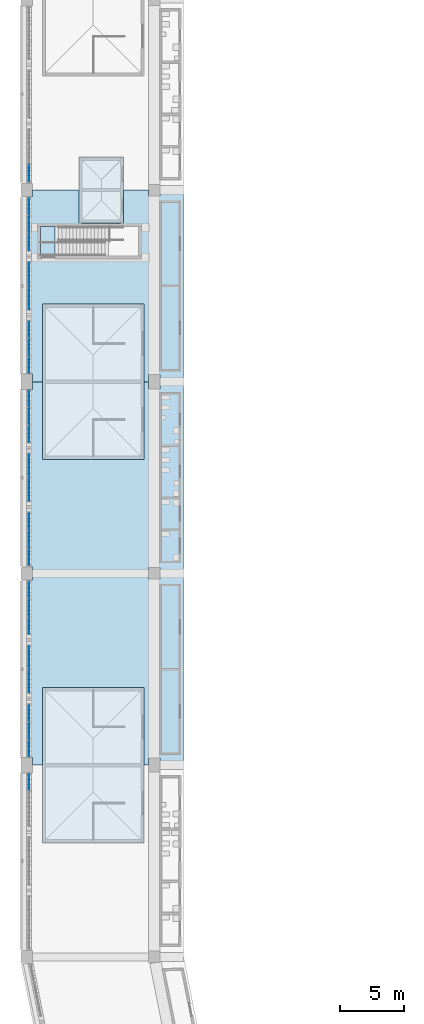
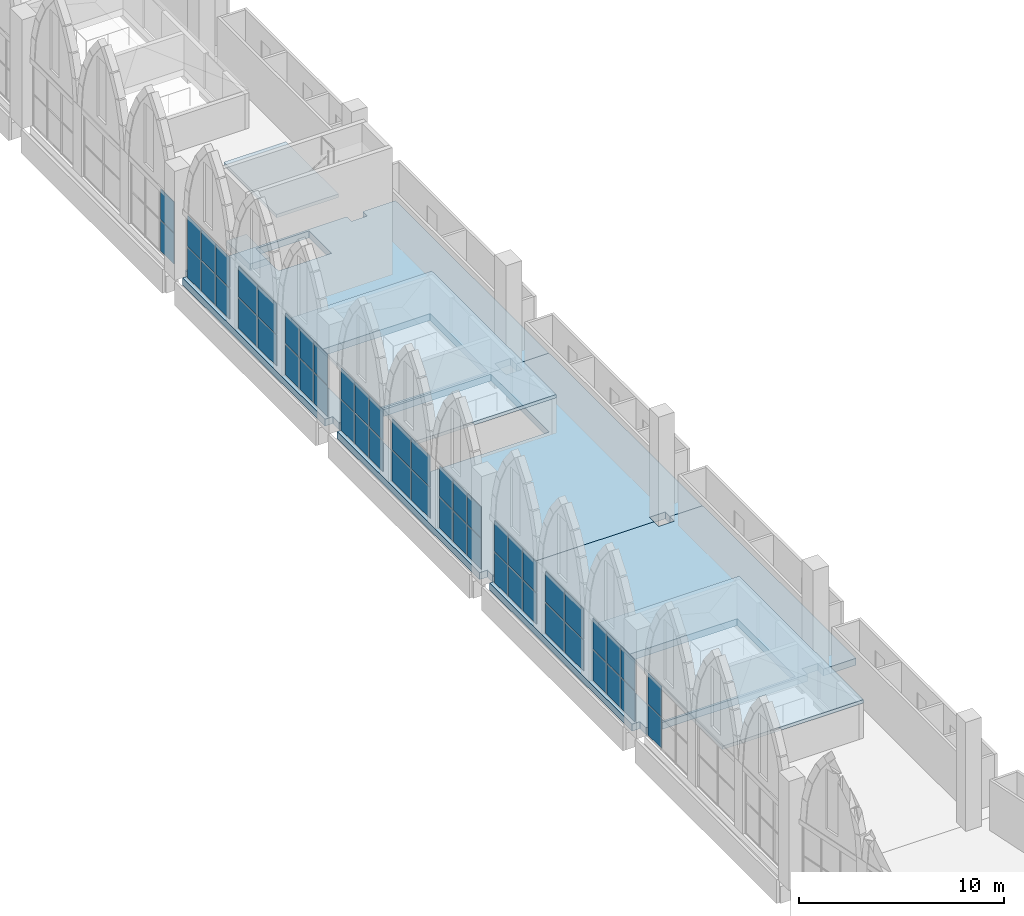
# One storey, part 52 of 130: 52 plates, 7 slabs, 12 elements without a shape of their own.
"""IFC4 building model written with IfcOpenShell, lengths in metres."""

from ifc_helpers import new_model, si_unit, direction, frame, origin, origin_2d, place, context, subcontext, project, spatial, polyline, rectangle, outline, extrude, material, layer, layer_set, type_object, element, aggregate, save


model = new_model("IFC4")

# Units and contexts
model_context = context("Model", 3, precision=1e-05, world=origin(), true_north=direction((0.0, 1.0)))
body_context = subcontext(model_context, "Body", "Model", "MODEL_VIEW")
ifc_project = project(units=[si_unit("LENGTHUNIT", "METRE"), si_unit("AREAUNIT", "SQUARE_METRE"), si_unit("VOLUMEUNIT", "CUBIC_METRE"), si_unit("PLANEANGLEUNIT", "RADIAN"), si_unit("MASSUNIT", "GRAM", prefix="KILO")], contexts=[model_context])

# Site, building, storey
site_placement = place(None, origin())
site = spatial("IfcSite", under=ifc_project, at=site_placement, CompositionType="ELEMENT")
building_placement = place(site_placement, origin())
building = spatial("IfcBuilding", under=site, at=building_placement, Name="Ogive Plaza Stadium", CompositionType="ELEMENT")
storey_placement = place(building_placement, frame((0.0, 0.0, 22.5)))
storey = spatial("IfcBuildingStorey", under=building, at=storey_placement, Name="L05", CompositionType="ELEMENT", Elevation=22.5)

# Slabs
ifc_material_1 = material(Name="Concrete C40/50", Category="concrete")
ifc_layer_1 = layer(ifc_material_1, 0.199951171875)
ifc_layer_set_1 = layer_set([ifc_layer_1], Name="Concrete C40/50")
slab_type_1 = type_object("IfcSlabType", Name="Core roof slab", PredefinedType="ROOF", material=ifc_layer_set_1)
slab_1_placement = place(storey_placement, frame((0.0, 0.0, 2.10009765625)))
element("IfcSlab", 1, at=slab_1_placement, inside=storey, type_object=slab_type_1, Name="Stair core R22 roof", PredefinedType="ROOF", context=body_context, shape_type="SweptSolid", body=[
    extrude(outline(polyline([(-74.800048828125, -31.425048828125), (-82.760009765625, -31.425048828125), (-82.760009765625, -43.574951171875), (-74.800048828125, -43.574951171875), (-74.800048828125, -31.425048828125)])), origin(), (0.0, 0.0, 1.0), 0.199951171875),
])
slab_2_placement = place(storey_placement, frame((0.0, 0.0, 2.10009765625)))
element("IfcSlab", 2, at=slab_2_placement, inside=storey, type_object=slab_type_1, Name="Stair core R24 roof", PredefinedType="ROOF", context=body_context, shape_type="SweptSolid", body=[
    extrude(outline(polyline([(-74.800048828125, -1.425048828125), (-82.760009765625, -1.425048828125), (-82.760009765625, -13.574951171875), (-74.800048828125, -13.574951171875), (-74.800048828125, -1.425048828125)])), origin(), (0.0, 0.0, 1.0), 0.199951171875),
])

# Curtain wall, plates
ifc_material_2 = material(Name="Bronze-anodised aluminium with laminated glass", Category="aluminium")
curtain_wall_type = type_object("IfcCurtainWallType", Name="Lancet curtain wall", PredefinedType="NOTDEFINED", material=ifc_material_2)
curtain_wall_1_placement = place(storey_placement, origin())
curtain_wall_1 = element("IfcCurtainWall", 3, at=curtain_wall_1_placement, inside=storey, type_object=curtain_wall_type, Name="CURTAIN WALL B21 L05", PredefinedType="NOTDEFINED")
ifc_material_3 = material(Name="Laminated glass", Category="glass")
ifc_layer_2 = layer(ifc_material_3, 0.028076171875)
ifc_layer_set_2 = layer_set([ifc_layer_2], Name="Laminated glass panel 28")
plate_type = type_object("IfcPlateType", Name="Laminated glass panel 28", PredefinedType="CURTAIN_PANEL", material=ifc_layer_set_2)
plate_1_placement = place(storey_placement, frame((-83.800048828125, -38.8125, 0.0498046875), z_axis=(0.0, 0.0, 1.0), x_axis=(0.0, 1.0, 0.0)))
plate_1 = element("IfcPlate", 4, at=plate_1_placement, type_object=plate_type, Name="CW-B21-L05.3 panel 3.1", PredefinedType="CURTAIN_PANEL", context=body_context, shape_type="SweptSolid", body=[
    extrude(rectangle(XDim=1.324951171875, YDim=0.028076171875, at=origin_2d()), origin(), (0.0, 0.0, 1.0), 1.824951171875),
])
plate_2_placement = place(storey_placement, frame((-83.800048828125, -38.8125, 1.9248046875), z_axis=(0.0, 0.0, 1.0), x_axis=(0.0, 1.0, 0.0)))
plate_2 = element("IfcPlate", 5, at=plate_2_placement, type_object=plate_type, Name="CW-B21-L05.3 panel 3.2", PredefinedType="CURTAIN_PANEL", context=body_context, shape_type="SweptSolid", body=[
    extrude(rectangle(XDim=1.324951171875, YDim=0.028076171875, at=origin_2d()), origin(), (0.0, 0.0, 1.0), 1.824951171875),
])
aggregate(curtain_wall_1, [plate_1, plate_2])

curtain_wall_2_placement = place(storey_placement, origin())
curtain_wall_2 = element("IfcCurtainWall", 6, at=curtain_wall_2_placement, inside=storey, type_object=curtain_wall_type, Name="CURTAIN WALL B22 L05", PredefinedType="NOTDEFINED")
plate_3_placement = place(storey_placement, frame((-83.800048828125, -36.1875, 0.0498046875), z_axis=(0.0, 0.0, 1.0), x_axis=(0.0, 1.0, 0.0)))
plate_3 = element("IfcPlate", 7, at=plate_3_placement, type_object=plate_type, Name="CW-B22-L05.1 panel 1.1", PredefinedType="CURTAIN_PANEL", context=body_context, shape_type="SweptSolid", body=[
    extrude(rectangle(XDim=1.324951171875, YDim=0.028076171875, at=origin_2d()), origin(), (0.0, 0.0, 1.0), 1.824951171875),
])
plate_4_placement = place(storey_placement, frame((-83.800048828125, -36.1875, 1.9248046875), z_axis=(0.0, 0.0, 1.0), x_axis=(0.0, 1.0, 0.0)))
plate_4 = element("IfcPlate", 8, at=plate_4_placement, type_object=plate_type, Name="CW-B22-L05.1 panel 1.2", PredefinedType="CURTAIN_PANEL", context=body_context, shape_type="SweptSolid", body=[
    extrude(rectangle(XDim=1.324951171875, YDim=0.028076171875, at=origin_2d()), origin(), (0.0, 0.0, 1.0), 1.824951171875),
])
plate_5_placement = place(storey_placement, frame((-83.800048828125, -34.800048828125, 0.0498046875), z_axis=(0.0, 0.0, 1.0), x_axis=(0.0, 1.0, 0.0)))
plate_5 = element("IfcPlate", 9, at=plate_5_placement, type_object=plate_type, Name="CW-B22-L05.1 panel 2.1", PredefinedType="CURTAIN_PANEL", context=body_context, shape_type="SweptSolid", body=[
    extrude(rectangle(XDim=1.35009765625, YDim=0.028076171875, at=origin_2d()), origin(), (0.0, 0.0, 1.0), 1.824951171875),
])
plate_6_placement = place(storey_placement, frame((-83.800048828125, -34.800048828125, 1.9248046875), z_axis=(0.0, 0.0, 1.0), x_axis=(0.0, 1.0, 0.0)))
plate_6 = element("IfcPlate", 10, at=plate_6_placement, type_object=plate_type, Name="CW-B22-L05.1 panel 2.2", PredefinedType="CURTAIN_PANEL", context=body_context, shape_type="SweptSolid", body=[
    extrude(rectangle(XDim=1.35009765625, YDim=0.028076171875, at=origin_2d()), origin(), (0.0, 0.0, 1.0), 1.824951171875),
])
plate_7_placement = place(storey_placement, frame((-83.800048828125, -33.41259765625, 0.0498046875), z_axis=(0.0, 0.0, 1.0), x_axis=(0.0, 1.0, 0.0)))
plate_7 = element("IfcPlate", 11, at=plate_7_placement, type_object=plate_type, Name="CW-B22-L05.1 panel 3.1", PredefinedType="CURTAIN_PANEL", context=body_context, shape_type="SweptSolid", body=[
    extrude(rectangle(XDim=1.324951171875, YDim=0.028076171875, at=origin_2d()), origin(), (0.0, 0.0, 1.0), 1.824951171875),
])
plate_8_placement = place(storey_placement, frame((-83.800048828125, -33.41259765625, 1.9248046875), z_axis=(0.0, 0.0, 1.0), x_axis=(0.0, 1.0, 0.0)))
plate_8 = element("IfcPlate", 12, at=plate_8_placement, type_object=plate_type, Name="CW-B22-L05.1 panel 3.2", PredefinedType="CURTAIN_PANEL", context=body_context, shape_type="SweptSolid", body=[
    extrude(rectangle(XDim=1.324951171875, YDim=0.028076171875, at=origin_2d()), origin(), (0.0, 0.0, 1.0), 1.824951171875),
])
aggregate(curtain_wall_2, [plate_3, plate_4, plate_5, plate_6, plate_7, plate_8])

curtain_wall_3_placement = place(storey_placement, origin())
curtain_wall_3 = element("IfcCurtainWall", 13, at=curtain_wall_3_placement, inside=storey, type_object=curtain_wall_type, Name="CURTAIN WALL B22 L05", PredefinedType="NOTDEFINED")
plate_9_placement = place(storey_placement, frame((-83.800048828125, -30.9375, 0.0498046875), z_axis=(0.0, 0.0, 1.0), x_axis=(0.0, 1.0, 0.0)))
plate_9 = element("IfcPlate", 14, at=plate_9_placement, type_object=plate_type, Name="CW-B22-L05.2 panel 1.1", PredefinedType="CURTAIN_PANEL", context=body_context, shape_type="SweptSolid", body=[
    extrude(rectangle(XDim=1.824951171875, YDim=0.028076171875, at=origin_2d()), origin(), (0.0, 0.0, 1.0), 1.824951171875),
])
plate_10_placement = place(storey_placement, frame((-83.800048828125, -30.9375, 1.9248046875), z_axis=(0.0, 0.0, 1.0), x_axis=(0.0, 1.0, 0.0)))
plate_10 = element("IfcPlate", 15, at=plate_10_placement, type_object=plate_type, Name="CW-B22-L05.2 panel 1.2", PredefinedType="CURTAIN_PANEL", context=body_context, shape_type="SweptSolid", body=[
    extrude(rectangle(XDim=1.824951171875, YDim=0.028076171875, at=origin_2d()), origin(), (0.0, 0.0, 1.0), 1.824951171875),
])
plate_11_placement = place(storey_placement, frame((-83.800048828125, -29.0625, 0.0498046875), z_axis=(0.0, 0.0, 1.0), x_axis=(0.0, 1.0, 0.0)))
plate_11 = element("IfcPlate", 16, at=plate_11_placement, type_object=plate_type, Name="CW-B22-L05.2 panel 2.1", PredefinedType="CURTAIN_PANEL", context=body_context, shape_type="SweptSolid", body=[
    extrude(rectangle(XDim=1.824951171875, YDim=0.028076171875, at=origin_2d()), origin(), (0.0, 0.0, 1.0), 1.824951171875),
])
plate_12_placement = place(storey_placement, frame((-83.800048828125, -29.0625, 1.9248046875), z_axis=(0.0, 0.0, 1.0), x_axis=(0.0, 1.0, 0.0)))
plate_12 = element("IfcPlate", 17, at=plate_12_placement, type_object=plate_type, Name="CW-B22-L05.2 panel 2.2", PredefinedType="CURTAIN_PANEL", context=body_context, shape_type="SweptSolid", body=[
    extrude(rectangle(XDim=1.824951171875, YDim=0.028076171875, at=origin_2d()), origin(), (0.0, 0.0, 1.0), 1.824951171875),
])
aggregate(curtain_wall_3, [plate_9, plate_10, plate_11, plate_12])

curtain_wall_4_placement = place(storey_placement, origin())
curtain_wall_4 = element("IfcCurtainWall", 18, at=curtain_wall_4_placement, inside=storey, type_object=curtain_wall_type, Name="CURTAIN WALL B22 L05", PredefinedType="NOTDEFINED")
plate_13_placement = place(storey_placement, frame((-83.800048828125, -26.58740234375, 0.0498046875), z_axis=(0.0, 0.0, 1.0), x_axis=(0.0, 1.0, 0.0)))
plate_13 = element("IfcPlate", 19, at=plate_13_placement, type_object=plate_type, Name="CW-B22-L05.3 panel 1.1", PredefinedType="CURTAIN_PANEL", context=body_context, shape_type="SweptSolid", body=[
    extrude(rectangle(XDim=1.324951171875, YDim=0.028076171875, at=origin_2d()), origin(), (0.0, 0.0, 1.0), 1.824951171875),
])
plate_14_placement = place(storey_placement, frame((-83.800048828125, -26.58740234375, 1.9248046875), z_axis=(0.0, 0.0, 1.0), x_axis=(0.0, 1.0, 0.0)))
plate_14 = element("IfcPlate", 20, at=plate_14_placement, type_object=plate_type, Name="CW-B22-L05.3 panel 1.2", PredefinedType="CURTAIN_PANEL", context=body_context, shape_type="SweptSolid", body=[
    extrude(rectangle(XDim=1.324951171875, YDim=0.028076171875, at=origin_2d()), origin(), (0.0, 0.0, 1.0), 1.824951171875),
])
plate_15_placement = place(storey_placement, frame((-83.800048828125, -25.199951171875, 0.0498046875), z_axis=(0.0, 0.0, 1.0), x_axis=(0.0, 1.0, 0.0)))
plate_15 = element("IfcPlate", 21, at=plate_15_placement, type_object=plate_type, Name="CW-B22-L05.3 panel 2.1", PredefinedType="CURTAIN_PANEL", context=body_context, shape_type="SweptSolid", body=[
    extrude(rectangle(XDim=1.35009765625, YDim=0.028076171875, at=origin_2d()), origin(), (0.0, 0.0, 1.0), 1.824951171875),
])
plate_16_placement = place(storey_placement, frame((-83.800048828125, -25.199951171875, 1.9248046875), z_axis=(0.0, 0.0, 1.0), x_axis=(0.0, 1.0, 0.0)))
plate_16 = element("IfcPlate", 22, at=plate_16_placement, type_object=plate_type, Name="CW-B22-L05.3 panel 2.2", PredefinedType="CURTAIN_PANEL", context=body_context, shape_type="SweptSolid", body=[
    extrude(rectangle(XDim=1.35009765625, YDim=0.028076171875, at=origin_2d()), origin(), (0.0, 0.0, 1.0), 1.824951171875),
])
plate_17_placement = place(storey_placement, frame((-83.800048828125, -23.8125, 0.0498046875), z_axis=(0.0, 0.0, 1.0), x_axis=(0.0, 1.0, 0.0)))
plate_17 = element("IfcPlate", 23, at=plate_17_placement, type_object=plate_type, Name="CW-B22-L05.3 panel 3.1", PredefinedType="CURTAIN_PANEL", context=body_context, shape_type="SweptSolid", body=[
    extrude(rectangle(XDim=1.324951171875, YDim=0.028076171875, at=origin_2d()), origin(), (0.0, 0.0, 1.0), 1.824951171875),
])
plate_18_placement = place(storey_placement, frame((-83.800048828125, -23.8125, 1.9248046875), z_axis=(0.0, 0.0, 1.0), x_axis=(0.0, 1.0, 0.0)))
plate_18 = element("IfcPlate", 24, at=plate_18_placement, type_object=plate_type, Name="CW-B22-L05.3 panel 3.2", PredefinedType="CURTAIN_PANEL", context=body_context, shape_type="SweptSolid", body=[
    extrude(rectangle(XDim=1.324951171875, YDim=0.028076171875, at=origin_2d()), origin(), (0.0, 0.0, 1.0), 1.824951171875),
])
aggregate(curtain_wall_4, [plate_13, plate_14, plate_15, plate_16, plate_17, plate_18])

curtain_wall_5_placement = place(storey_placement, origin())
curtain_wall_5 = element("IfcCurtainWall", 25, at=curtain_wall_5_placement, inside=storey, type_object=curtain_wall_type, Name="CURTAIN WALL B23 L05", PredefinedType="NOTDEFINED")
plate_19_placement = place(storey_placement, frame((-83.800048828125, -21.1875, 0.0498046875), z_axis=(0.0, 0.0, 1.0), x_axis=(0.0, 1.0, 0.0)))
plate_19 = element("IfcPlate", 26, at=plate_19_placement, type_object=plate_type, Name="CW-B23-L05.1 panel 1.1", PredefinedType="CURTAIN_PANEL", context=body_context, shape_type="SweptSolid", body=[
    extrude(rectangle(XDim=1.324951171875, YDim=0.028076171875, at=origin_2d()), origin(), (0.0, 0.0, 1.0), 1.824951171875),
])
plate_20_placement = place(storey_placement, frame((-83.800048828125, -21.1875, 1.9248046875), z_axis=(0.0, 0.0, 1.0), x_axis=(0.0, 1.0, 0.0)))
plate_20 = element("IfcPlate", 27, at=plate_20_placement, type_object=plate_type, Name="CW-B23-L05.1 panel 1.2", PredefinedType="CURTAIN_PANEL", context=body_context, shape_type="SweptSolid", body=[
    extrude(rectangle(XDim=1.324951171875, YDim=0.028076171875, at=origin_2d()), origin(), (0.0, 0.0, 1.0), 1.824951171875),
])
plate_21_placement = place(storey_placement, frame((-83.800048828125, -19.800048828125, 0.0498046875), z_axis=(0.0, 0.0, 1.0), x_axis=(0.0, 1.0, 0.0)))
plate_21 = element("IfcPlate", 28, at=plate_21_placement, type_object=plate_type, Name="CW-B23-L05.1 panel 2.1", PredefinedType="CURTAIN_PANEL", context=body_context, shape_type="SweptSolid", body=[
    extrude(rectangle(XDim=1.35009765625, YDim=0.028076171875, at=origin_2d()), origin(), (0.0, 0.0, 1.0), 1.824951171875),
])
plate_22_placement = place(storey_placement, frame((-83.800048828125, -19.800048828125, 1.9248046875), z_axis=(0.0, 0.0, 1.0), x_axis=(0.0, 1.0, 0.0)))
plate_22 = element("IfcPlate", 29, at=plate_22_placement, type_object=plate_type, Name="CW-B23-L05.1 panel 2.2", PredefinedType="CURTAIN_PANEL", context=body_context, shape_type="SweptSolid", body=[
    extrude(rectangle(XDim=1.35009765625, YDim=0.028076171875, at=origin_2d()), origin(), (0.0, 0.0, 1.0), 1.824951171875),
])
plate_23_placement = place(storey_placement, frame((-83.800048828125, -18.41259765625, 0.0498046875), z_axis=(0.0, 0.0, 1.0), x_axis=(0.0, 1.0, 0.0)))
plate_23 = element("IfcPlate", 30, at=plate_23_placement, type_object=plate_type, Name="CW-B23-L05.1 panel 3.1", PredefinedType="CURTAIN_PANEL", context=body_context, shape_type="SweptSolid", body=[
    extrude(rectangle(XDim=1.324951171875, YDim=0.028076171875, at=origin_2d()), origin(), (0.0, 0.0, 1.0), 1.824951171875),
])
plate_24_placement = place(storey_placement, frame((-83.800048828125, -18.41259765625, 1.9248046875), z_axis=(0.0, 0.0, 1.0), x_axis=(0.0, 1.0, 0.0)))
plate_24 = element("IfcPlate", 31, at=plate_24_placement, type_object=plate_type, Name="CW-B23-L05.1 panel 3.2", PredefinedType="CURTAIN_PANEL", context=body_context, shape_type="SweptSolid", body=[
    extrude(rectangle(XDim=1.324951171875, YDim=0.028076171875, at=origin_2d()), origin(), (0.0, 0.0, 1.0), 1.824951171875),
])
aggregate(curtain_wall_5, [plate_19, plate_20, plate_21, plate_22, plate_23, plate_24])

curtain_wall_6_placement = place(storey_placement, origin())
curtain_wall_6 = element("IfcCurtainWall", 32, at=curtain_wall_6_placement, inside=storey, type_object=curtain_wall_type, Name="CURTAIN WALL B23 L05", PredefinedType="NOTDEFINED")
plate_25_placement = place(storey_placement, frame((-83.800048828125, -15.9375, 0.0498046875), z_axis=(0.0, 0.0, 1.0), x_axis=(0.0, 1.0, 0.0)))
plate_25 = element("IfcPlate", 33, at=plate_25_placement, type_object=plate_type, Name="CW-B23-L05.2 panel 1.1", PredefinedType="CURTAIN_PANEL", context=body_context, shape_type="SweptSolid", body=[
    extrude(rectangle(XDim=1.824951171875, YDim=0.028076171875, at=origin_2d()), origin(), (0.0, 0.0, 1.0), 1.824951171875),
])
plate_26_placement = place(storey_placement, frame((-83.800048828125, -15.9375, 1.9248046875), z_axis=(0.0, 0.0, 1.0), x_axis=(0.0, 1.0, 0.0)))
plate_26 = element("IfcPlate", 34, at=plate_26_placement, type_object=plate_type, Name="CW-B23-L05.2 panel 1.2", PredefinedType="CURTAIN_PANEL", context=body_context, shape_type="SweptSolid", body=[
    extrude(rectangle(XDim=1.824951171875, YDim=0.028076171875, at=origin_2d()), origin(), (0.0, 0.0, 1.0), 1.824951171875),
])
plate_27_placement = place(storey_placement, frame((-83.800048828125, -14.0625, 0.0498046875), z_axis=(0.0, 0.0, 1.0), x_axis=(0.0, 1.0, 0.0)))
plate_27 = element("IfcPlate", 35, at=plate_27_placement, type_object=plate_type, Name="CW-B23-L05.2 panel 2.1", PredefinedType="CURTAIN_PANEL", context=body_context, shape_type="SweptSolid", body=[
    extrude(rectangle(XDim=1.824951171875, YDim=0.028076171875, at=origin_2d()), origin(), (0.0, 0.0, 1.0), 1.824951171875),
])
plate_28_placement = place(storey_placement, frame((-83.800048828125, -14.0625, 1.9248046875), z_axis=(0.0, 0.0, 1.0), x_axis=(0.0, 1.0, 0.0)))
plate_28 = element("IfcPlate", 36, at=plate_28_placement, type_object=plate_type, Name="CW-B23-L05.2 panel 2.2", PredefinedType="CURTAIN_PANEL", context=body_context, shape_type="SweptSolid", body=[
    extrude(rectangle(XDim=1.824951171875, YDim=0.028076171875, at=origin_2d()), origin(), (0.0, 0.0, 1.0), 1.824951171875),
])
aggregate(curtain_wall_6, [plate_25, plate_26, plate_27, plate_28])

curtain_wall_7_placement = place(storey_placement, origin())
curtain_wall_7 = element("IfcCurtainWall", 37, at=curtain_wall_7_placement, inside=storey, type_object=curtain_wall_type, Name="CURTAIN WALL B23 L05", PredefinedType="NOTDEFINED")
plate_29_placement = place(storey_placement, frame((-83.800048828125, -11.58740234375, 0.0498046875), z_axis=(0.0, 0.0, 1.0), x_axis=(0.0, 1.0, 0.0)))
plate_29 = element("IfcPlate", 38, at=plate_29_placement, type_object=plate_type, Name="CW-B23-L05.3 panel 1.1", PredefinedType="CURTAIN_PANEL", context=body_context, shape_type="SweptSolid", body=[
    extrude(rectangle(XDim=1.324951171875, YDim=0.028076171875, at=origin_2d()), origin(), (0.0, 0.0, 1.0), 1.824951171875),
])
plate_30_placement = place(storey_placement, frame((-83.800048828125, -11.58740234375, 1.9248046875), z_axis=(0.0, 0.0, 1.0), x_axis=(0.0, 1.0, 0.0)))
plate_30 = element("IfcPlate", 39, at=plate_30_placement, type_object=plate_type, Name="CW-B23-L05.3 panel 1.2", PredefinedType="CURTAIN_PANEL", context=body_context, shape_type="SweptSolid", body=[
    extrude(rectangle(XDim=1.324951171875, YDim=0.028076171875, at=origin_2d()), origin(), (0.0, 0.0, 1.0), 1.824951171875),
])
plate_31_placement = place(storey_placement, frame((-83.800048828125, -10.199951171875, 0.0498046875), z_axis=(0.0, 0.0, 1.0), x_axis=(0.0, 1.0, 0.0)))
plate_31 = element("IfcPlate", 40, at=plate_31_placement, type_object=plate_type, Name="CW-B23-L05.3 panel 2.1", PredefinedType="CURTAIN_PANEL", context=body_context, shape_type="SweptSolid", body=[
    extrude(rectangle(XDim=1.35009765625, YDim=0.028076171875, at=origin_2d()), origin(), (0.0, 0.0, 1.0), 1.824951171875),
])
plate_32_placement = place(storey_placement, frame((-83.800048828125, -10.199951171875, 1.9248046875), z_axis=(0.0, 0.0, 1.0), x_axis=(0.0, 1.0, 0.0)))
plate_32 = element("IfcPlate", 41, at=plate_32_placement, type_object=plate_type, Name="CW-B23-L05.3 panel 2.2", PredefinedType="CURTAIN_PANEL", context=body_context, shape_type="SweptSolid", body=[
    extrude(rectangle(XDim=1.35009765625, YDim=0.028076171875, at=origin_2d()), origin(), (0.0, 0.0, 1.0), 1.824951171875),
])
plate_33_placement = place(storey_placement, frame((-83.800048828125, -8.8125, 0.0498046875), z_axis=(0.0, 0.0, 1.0), x_axis=(0.0, 1.0, 0.0)))
plate_33 = element("IfcPlate", 42, at=plate_33_placement, type_object=plate_type, Name="CW-B23-L05.3 panel 3.1", PredefinedType="CURTAIN_PANEL", context=body_context, shape_type="SweptSolid", body=[
    extrude(rectangle(XDim=1.324951171875, YDim=0.028076171875, at=origin_2d()), origin(), (0.0, 0.0, 1.0), 1.824951171875),
])
plate_34_placement = place(storey_placement, frame((-83.800048828125, -8.8125, 1.9248046875), z_axis=(0.0, 0.0, 1.0), x_axis=(0.0, 1.0, 0.0)))
plate_34 = element("IfcPlate", 43, at=plate_34_placement, type_object=plate_type, Name="CW-B23-L05.3 panel 3.2", PredefinedType="CURTAIN_PANEL", context=body_context, shape_type="SweptSolid", body=[
    extrude(rectangle(XDim=1.324951171875, YDim=0.028076171875, at=origin_2d()), origin(), (0.0, 0.0, 1.0), 1.824951171875),
])
aggregate(curtain_wall_7, [plate_29, plate_30, plate_31, plate_32, plate_33, plate_34])

curtain_wall_8_placement = place(storey_placement, origin())
curtain_wall_8 = element("IfcCurtainWall", 44, at=curtain_wall_8_placement, inside=storey, type_object=curtain_wall_type, Name="CURTAIN WALL B24 L05", PredefinedType="NOTDEFINED")
plate_35_placement = place(storey_placement, frame((-83.800048828125, -6.1875, 0.0498046875), z_axis=(0.0, 0.0, 1.0), x_axis=(0.0, 1.0, 0.0)))
plate_35 = element("IfcPlate", 45, at=plate_35_placement, type_object=plate_type, Name="CW-B24-L05.1 panel 1.1", PredefinedType="CURTAIN_PANEL", context=body_context, shape_type="SweptSolid", body=[
    extrude(rectangle(XDim=1.324951171875, YDim=0.028076171875, at=origin_2d()), origin(), (0.0, 0.0, 1.0), 1.824951171875),
])
plate_36_placement = place(storey_placement, frame((-83.800048828125, -6.1875, 1.9248046875), z_axis=(0.0, 0.0, 1.0), x_axis=(0.0, 1.0, 0.0)))
plate_36 = element("IfcPlate", 46, at=plate_36_placement, type_object=plate_type, Name="CW-B24-L05.1 panel 1.2", PredefinedType="CURTAIN_PANEL", context=body_context, shape_type="SweptSolid", body=[
    extrude(rectangle(XDim=1.324951171875, YDim=0.028076171875, at=origin_2d()), origin(), (0.0, 0.0, 1.0), 1.824951171875),
])
plate_37_placement = place(storey_placement, frame((-83.800048828125, -4.800048828125, 0.0498046875), z_axis=(0.0, 0.0, 1.0), x_axis=(0.0, 1.0, 0.0)))
plate_37 = element("IfcPlate", 47, at=plate_37_placement, type_object=plate_type, Name="CW-B24-L05.1 panel 2.1", PredefinedType="CURTAIN_PANEL", context=body_context, shape_type="SweptSolid", body=[
    extrude(rectangle(XDim=1.35009765625, YDim=0.028076171875, at=origin_2d()), origin(), (0.0, 0.0, 1.0), 1.824951171875),
])
plate_38_placement = place(storey_placement, frame((-83.800048828125, -4.800048828125, 1.9248046875), z_axis=(0.0, 0.0, 1.0), x_axis=(0.0, 1.0, 0.0)))
plate_38 = element("IfcPlate", 48, at=plate_38_placement, type_object=plate_type, Name="CW-B24-L05.1 panel 2.2", PredefinedType="CURTAIN_PANEL", context=body_context, shape_type="SweptSolid", body=[
    extrude(rectangle(XDim=1.35009765625, YDim=0.028076171875, at=origin_2d()), origin(), (0.0, 0.0, 1.0), 1.824951171875),
])
plate_39_placement = place(storey_placement, frame((-83.800048828125, -3.41259765625, 0.0498046875), z_axis=(0.0, 0.0, 1.0), x_axis=(0.0, 1.0, 0.0)))
plate_39 = element("IfcPlate", 49, at=plate_39_placement, type_object=plate_type, Name="CW-B24-L05.1 panel 3.1", PredefinedType="CURTAIN_PANEL", context=body_context, shape_type="SweptSolid", body=[
    extrude(rectangle(XDim=1.324951171875, YDim=0.028076171875, at=origin_2d()), origin(), (0.0, 0.0, 1.0), 1.824951171875),
])
plate_40_placement = place(storey_placement, frame((-83.800048828125, -3.41259765625, 1.9248046875), z_axis=(0.0, 0.0, 1.0), x_axis=(0.0, 1.0, 0.0)))
plate_40 = element("IfcPlate", 50, at=plate_40_placement, type_object=plate_type, Name="CW-B24-L05.1 panel 3.2", PredefinedType="CURTAIN_PANEL", context=body_context, shape_type="SweptSolid", body=[
    extrude(rectangle(XDim=1.324951171875, YDim=0.028076171875, at=origin_2d()), origin(), (0.0, 0.0, 1.0), 1.824951171875),
])
aggregate(curtain_wall_8, [plate_35, plate_36, plate_37, plate_38, plate_39, plate_40])

curtain_wall_9_placement = place(storey_placement, origin())
curtain_wall_9 = element("IfcCurtainWall", 51, at=curtain_wall_9_placement, inside=storey, type_object=curtain_wall_type, Name="CURTAIN WALL B24 L05", PredefinedType="NOTDEFINED")
plate_41_placement = place(storey_placement, frame((-83.800048828125, -0.9375, 0.0498046875), z_axis=(0.0, 0.0, 1.0), x_axis=(0.0, 1.0, 0.0)))
plate_41 = element("IfcPlate", 52, at=plate_41_placement, type_object=plate_type, Name="CW-B24-L05.2 panel 1.1", PredefinedType="CURTAIN_PANEL", context=body_context, shape_type="SweptSolid", body=[
    extrude(rectangle(XDim=1.824951171875, YDim=0.028076171875, at=origin_2d()), origin(), (0.0, 0.0, 1.0), 1.824951171875),
])
plate_42_placement = place(storey_placement, frame((-83.800048828125, -0.9375, 1.9248046875), z_axis=(0.0, 0.0, 1.0), x_axis=(0.0, 1.0, 0.0)))
plate_42 = element("IfcPlate", 53, at=plate_42_placement, type_object=plate_type, Name="CW-B24-L05.2 panel 1.2", PredefinedType="CURTAIN_PANEL", context=body_context, shape_type="SweptSolid", body=[
    extrude(rectangle(XDim=1.824951171875, YDim=0.028076171875, at=origin_2d()), origin(), (0.0, 0.0, 1.0), 1.824951171875),
])
plate_43_placement = place(storey_placement, frame((-83.800048828125, 0.9375, 0.0498046875), z_axis=(0.0, 0.0, 1.0), x_axis=(0.0, 1.0, 0.0)))
plate_43 = element("IfcPlate", 54, at=plate_43_placement, type_object=plate_type, Name="CW-B24-L05.2 panel 2.1", PredefinedType="CURTAIN_PANEL", context=body_context, shape_type="SweptSolid", body=[
    extrude(rectangle(XDim=1.824951171875, YDim=0.028076171875, at=origin_2d()), origin(), (0.0, 0.0, 1.0), 1.824951171875),
])
plate_44_placement = place(storey_placement, frame((-83.800048828125, 0.9375, 1.9248046875), z_axis=(0.0, 0.0, 1.0), x_axis=(0.0, 1.0, 0.0)))
plate_44 = element("IfcPlate", 55, at=plate_44_placement, type_object=plate_type, Name="CW-B24-L05.2 panel 2.2", PredefinedType="CURTAIN_PANEL", context=body_context, shape_type="SweptSolid", body=[
    extrude(rectangle(XDim=1.824951171875, YDim=0.028076171875, at=origin_2d()), origin(), (0.0, 0.0, 1.0), 1.824951171875),
])
aggregate(curtain_wall_9, [plate_41, plate_42, plate_43, plate_44])

curtain_wall_10_placement = place(storey_placement, origin())
curtain_wall_10 = element("IfcCurtainWall", 56, at=curtain_wall_10_placement, inside=storey, type_object=curtain_wall_type, Name="CURTAIN WALL B24 L05", PredefinedType="NOTDEFINED")
plate_45_placement = place(storey_placement, frame((-83.800048828125, 3.41259765625, 0.0498046875), z_axis=(0.0, 0.0, 1.0), x_axis=(0.0, 1.0, 0.0)))
plate_45 = element("IfcPlate", 57, at=plate_45_placement, type_object=plate_type, Name="CW-B24-L05.3 panel 1.1", PredefinedType="CURTAIN_PANEL", context=body_context, shape_type="SweptSolid", body=[
    extrude(rectangle(XDim=1.324951171875, YDim=0.028076171875, at=origin_2d()), origin(), (0.0, 0.0, 1.0), 1.824951171875),
])
plate_46_placement = place(storey_placement, frame((-83.800048828125, 3.41259765625, 1.9248046875), z_axis=(0.0, 0.0, 1.0), x_axis=(0.0, 1.0, 0.0)))
plate_46 = element("IfcPlate", 58, at=plate_46_placement, type_object=plate_type, Name="CW-B24-L05.3 panel 1.2", PredefinedType="CURTAIN_PANEL", context=body_context, shape_type="SweptSolid", body=[
    extrude(rectangle(XDim=1.324951171875, YDim=0.028076171875, at=origin_2d()), origin(), (0.0, 0.0, 1.0), 1.824951171875),
])
plate_47_placement = place(storey_placement, frame((-83.800048828125, 4.800048828125, 0.0498046875), z_axis=(0.0, 0.0, 1.0), x_axis=(0.0, 1.0, 0.0)))
plate_47 = element("IfcPlate", 59, at=plate_47_placement, type_object=plate_type, Name="CW-B24-L05.3 panel 2.1", PredefinedType="CURTAIN_PANEL", context=body_context, shape_type="SweptSolid", body=[
    extrude(rectangle(XDim=1.35009765625, YDim=0.028076171875, at=origin_2d()), origin(), (0.0, 0.0, 1.0), 1.824951171875),
])
plate_48_placement = place(storey_placement, frame((-83.800048828125, 4.800048828125, 1.9248046875), z_axis=(0.0, 0.0, 1.0), x_axis=(0.0, 1.0, 0.0)))
plate_48 = element("IfcPlate", 60, at=plate_48_placement, type_object=plate_type, Name="CW-B24-L05.3 panel 2.2", PredefinedType="CURTAIN_PANEL", context=body_context, shape_type="SweptSolid", body=[
    extrude(rectangle(XDim=1.35009765625, YDim=0.028076171875, at=origin_2d()), origin(), (0.0, 0.0, 1.0), 1.824951171875),
])
plate_49_placement = place(storey_placement, frame((-83.800048828125, 6.1875, 0.0498046875), z_axis=(0.0, 0.0, 1.0), x_axis=(0.0, 1.0, 0.0)))
plate_49 = element("IfcPlate", 61, at=plate_49_placement, type_object=plate_type, Name="CW-B24-L05.3 panel 3.1", PredefinedType="CURTAIN_PANEL", context=body_context, shape_type="SweptSolid", body=[
    extrude(rectangle(XDim=1.324951171875, YDim=0.028076171875, at=origin_2d()), origin(), (0.0, 0.0, 1.0), 1.824951171875),
])
plate_50_placement = place(storey_placement, frame((-83.800048828125, 6.1875, 1.9248046875), z_axis=(0.0, 0.0, 1.0), x_axis=(0.0, 1.0, 0.0)))
plate_50 = element("IfcPlate", 62, at=plate_50_placement, type_object=plate_type, Name="CW-B24-L05.3 panel 3.2", PredefinedType="CURTAIN_PANEL", context=body_context, shape_type="SweptSolid", body=[
    extrude(rectangle(XDim=1.324951171875, YDim=0.028076171875, at=origin_2d()), origin(), (0.0, 0.0, 1.0), 1.824951171875),
])
aggregate(curtain_wall_10, [plate_45, plate_46, plate_47, plate_48, plate_49, plate_50])

curtain_wall_11_placement = place(storey_placement, origin())
curtain_wall_11 = element("IfcCurtainWall", 63, at=curtain_wall_11_placement, inside=storey, type_object=curtain_wall_type, Name="CURTAIN WALL B25 L05", PredefinedType="NOTDEFINED")
plate_51_placement = place(storey_placement, frame((-83.800048828125, 8.8125, 0.0498046875), z_axis=(0.0, 0.0, 1.0), x_axis=(0.0, 1.0, 0.0)))
plate_51 = element("IfcPlate", 64, at=plate_51_placement, type_object=plate_type, Name="CW-B25-L05.1 panel 1.1", PredefinedType="CURTAIN_PANEL", context=body_context, shape_type="SweptSolid", body=[
    extrude(rectangle(XDim=1.324951171875, YDim=0.028076171875, at=origin_2d()), origin(), (0.0, 0.0, 1.0), 1.824951171875),
])
plate_52_placement = place(storey_placement, frame((-83.800048828125, 8.8125, 1.9248046875), z_axis=(0.0, 0.0, 1.0), x_axis=(0.0, 1.0, 0.0)))
plate_52 = element("IfcPlate", 65, at=plate_52_placement, type_object=plate_type, Name="CW-B25-L05.1 panel 1.2", PredefinedType="CURTAIN_PANEL", context=body_context, shape_type="SweptSolid", body=[
    extrude(rectangle(XDim=1.324951171875, YDim=0.028076171875, at=origin_2d()), origin(), (0.0, 0.0, 1.0), 1.824951171875),
])
aggregate(curtain_wall_11, [plate_51, plate_52])

# Slabs
ifc_material_4 = material(Name="Concrete C40/50", Category="concrete")
ifc_layer_3 = layer(ifc_material_4, 0.199951171875)
ifc_layer_set_3 = layer_set([ifc_layer_3], Name="Concrete C40/50")
slab_type_2 = type_object("IfcSlabType", Name="Lift overrun roof slab", PredefinedType="ROOF", material=ifc_layer_set_3)
slab_3_placement = place(storey_placement, frame((0.0, 0.0, 3.39990234375)))
element("IfcSlab", 66, at=slab_3_placement, inside=storey, type_object=slab_type_2, Name="Lift core LP25 roof", PredefinedType="ROOF", context=body_context, shape_type="SweptSolid", body=[
    extrude(outline(polyline([(-76.39990234375, 10.074951171875), (-79.89990234375, 10.074951171875), (-79.89990234375, 4.925048828125), (-76.39990234375, 4.925048828125), (-76.39990234375, 10.074951171875)])), origin(), (0.0, 0.0, 1.0), 0.2001953125),
])
ifc_material_5 = material(Name="Concrete C40/50", Category="concrete")
ifc_layer_4 = layer(ifc_material_5, 0.409912109375)
ifc_layer_set_4 = layer_set([ifc_layer_4], Name="Concrete C40/50")
slab_type_3 = type_object("IfcSlabType", Name="RC floor slab 410", PredefinedType="FLOOR", material=ifc_layer_set_4)
slab_4_placement = place(storey_placement, frame((0.0, 0.0, -0.409912109375)))
element("IfcSlab", 67, at=slab_4_placement, inside=storey, type_object=slab_type_3, Name="Floor slab L05 B22", PredefinedType="FLOOR", context=body_context, shape_type="SweptSolid", body=[
    extrude(outline(polyline([(-73.550048828125, -22.5), (-73.550048828125, -22.949951171875), (-74.449951171875, -22.949951171875), (-74.449951171875, -22.5), (-83.550048828125, -22.5), (-83.550048828125, -23.0), (-84.0, -23.0), (-84.0, -36.89990234375), (-83.550048828125, -36.89990234375), (-83.550048828125, -37.5), (-74.449951171875, -37.5), (-74.449951171875, -36.949951171875), (-73.550048828125, -36.949951171875), (-73.550048828125, -37.5), (-71.699951171875, -37.5), (-71.699951171875, -22.5), (-73.550048828125, -22.5)]), holes=[polyline([(-75.050048828125, -31.675048828125), (-82.510009765625, -31.675048828125), (-82.510009765625, -37.375), (-75.050048828125, -37.375), (-75.050048828125, -31.675048828125)])]), origin(), (0.0, 0.0, 1.0), 0.409912109375),
])
slab_5_placement = place(storey_placement, frame((0.0, 0.0, -0.409912109375)))
element("IfcSlab", 68, at=slab_5_placement, inside=storey, type_object=slab_type_3, Name="Floor slab L05 B23", PredefinedType="FLOOR", context=body_context, shape_type="SweptSolid", body=[
    extrude(outline(polyline([(-73.550048828125, -7.5), (-73.550048828125, -8.050048828125), (-74.449951171875, -8.050048828125), (-74.449951171875, -7.5), (-83.550048828125, -7.5), (-83.550048828125, -8.10009765625), (-84.0, -8.10009765625), (-84.0, -22.0), (-83.550048828125, -22.0), (-83.550048828125, -22.5), (-74.449951171875, -22.5), (-74.449951171875, -22.050048828125), (-73.550048828125, -22.050048828125), (-73.550048828125, -22.5), (-71.699951171875, -22.5), (-71.699951171875, -7.5), (-73.550048828125, -7.5)]), holes=[polyline([(-75.050048828125, -13.324951171875), (-75.050048828125, -7.625), (-82.510009765625, -7.625), (-82.510009765625, -13.324951171875), (-75.050048828125, -13.324951171875)])]), origin(), (0.0, 0.0, 1.0), 0.409912109375),
])
slab_6_placement = place(storey_placement, frame((0.0, 0.0, -0.409912109375)))
element("IfcSlab", 69, at=slab_6_placement, inside=storey, type_object=slab_type_3, Name="Floor slab L05 B24", PredefinedType="FLOOR", context=body_context, shape_type="SweptSolid", body=[
    extrude(outline(polyline([(-73.550048828125, 7.5), (-73.550048828125, 7.050048828125), (-74.449951171875, 7.050048828125), (-74.449951171875, 7.5), (-83.550048828125, 7.5), (-83.550048828125, 7.0), (-84.0, 7.0), (-84.0, -6.89990234375), (-83.550048828125, -6.89990234375), (-83.550048828125, -7.5), (-74.449951171875, -7.5), (-74.449951171875, -6.949951171875), (-73.550048828125, -6.949951171875), (-73.550048828125, -7.5), (-71.699951171875, -7.5), (-71.699951171875, 7.5), (-73.550048828125, 7.5)]), holes=[polyline([(-75.050048828125, -7.375), (-75.050048828125, -1.675048828125), (-82.510009765625, -1.675048828125), (-82.510009765625, -7.375), (-75.050048828125, -7.375)]), polyline([(-76.64990234375, 5.175048828125), (-76.64990234375, 7.375), (-79.64990234375, 7.375), (-79.64990234375, 5.175048828125), (-76.64990234375, 5.175048828125)])]), origin(), (0.0, 0.0, 1.0), 0.409912109375),
])

# Stair, slab
ifc_material_6 = material(Name="Concrete C40/50", Category="concrete")
stair_type = type_object("IfcStairType", Name="Roof access stair", PredefinedType="STRAIGHT_RUN_STAIR", material=ifc_material_6)
stair_placement = place(storey_placement, origin())
stair = element("IfcStair", 70, at=stair_placement, inside=storey, type_object=stair_type, Name="Roof access stair RA2 L05 to Roof", PredefinedType="STRAIGHT_RUN_STAIR")
ifc_material_7 = material(Name="Concrete C40/50", Category="concrete")
ifc_layer_5 = layer(ifc_material_7, 0.39990234375)
ifc_layer_set_5 = layer_set([ifc_layer_5], Name="Concrete C40/50")
slab_type_4 = type_object("IfcSlabType", Name="Stair landing", PredefinedType="LANDING", material=ifc_layer_set_5)
slab_7_placement = place(storey_placement, frame((0.0, 0.0, 2.85009765625)))
slab_7 = element("IfcSlab", 71, at=slab_7_placement, type_object=slab_type_4, Name="RA2 landing 1", PredefinedType="LANDING", context=body_context, shape_type="SweptSolid", body=[
    extrude(outline(polyline([(-81.76611328125, 4.64990234375), (-82.889892578125, 4.64990234375), (-82.889892578125, 2.35009765625), (-81.76611328125, 2.35009765625), (-81.76611328125, 4.64990234375)])), origin(), (0.0, 0.0, 1.0), 0.39990234375),
])
aggregate(stair, [slab_7])

save(model, "model.ifc")
